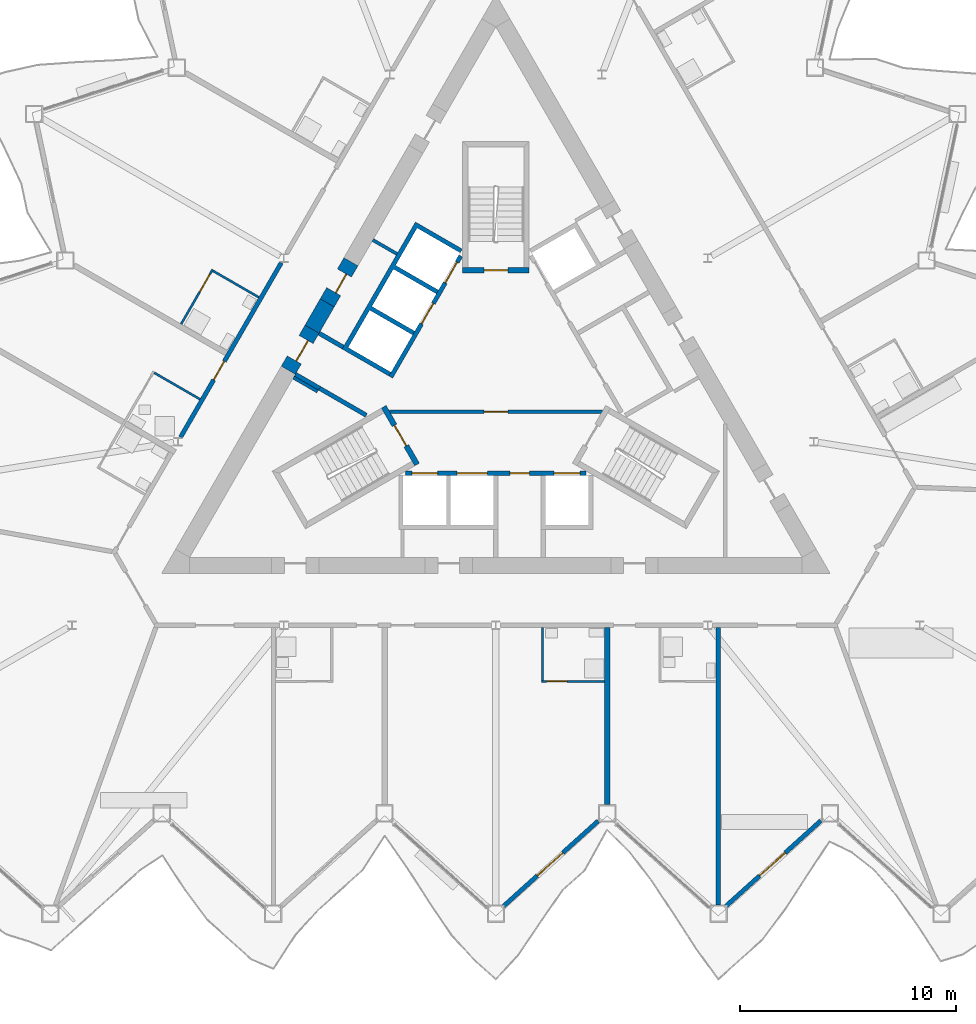
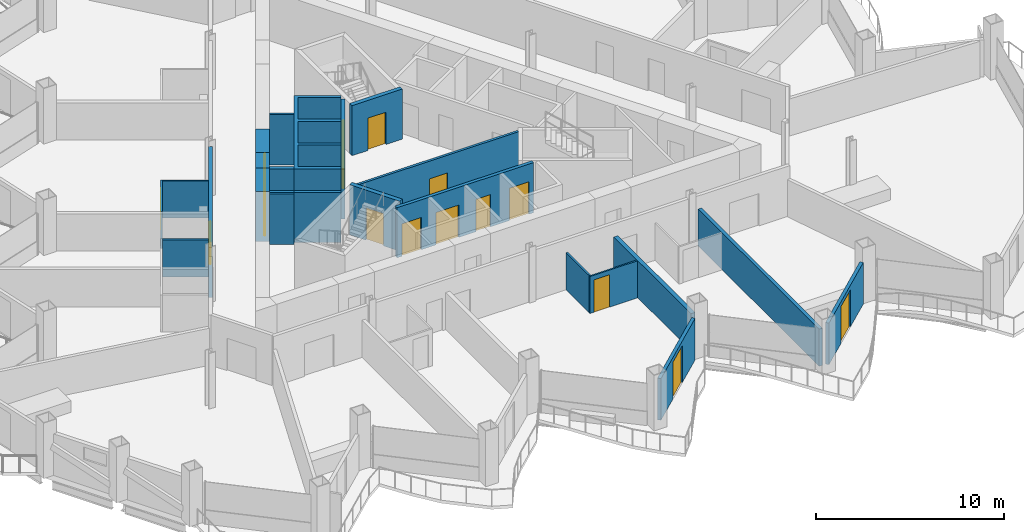
# One storey, part 12 of 23: 24 walls, 16 doors, 16 openings.
"""IFC4 building model written with IfcOpenShell, lengths in metres."""

from ifc_helpers import new_model, si_unit, direction, frame, frame_2d, origin, place, context, subcontext, project, spatial, polyline, rectangle, outline, extrude, material, layer, layer_set, type_object, element, fill, save


model = new_model("IFC4")

# Units and contexts
model_context = context("Model", 3, precision=1e-05, world=origin(), true_north=direction((0.0, 1.0)))
body_context = subcontext(model_context, "Body", "Model", "MODEL_VIEW")
ifc_project = project(units=[si_unit("LENGTHUNIT", "METRE"), si_unit("AREAUNIT", "SQUARE_METRE"), si_unit("VOLUMEUNIT", "CUBIC_METRE"), si_unit("PLANEANGLEUNIT", "RADIAN"), si_unit("MASSUNIT", "GRAM", prefix="KILO")], contexts=[model_context])

# Site, building, storey
site_placement = place(None, origin())
site = spatial("IfcSite", under=ifc_project, at=site_placement, CompositionType="ELEMENT")
building_placement = place(site_placement, origin())
building = spatial("IfcBuilding", under=site, at=building_placement, Name="Cormorant Prow Tower", CompositionType="ELEMENT")
storey_placement = place(building_placement, frame((0.0, 0.0, 212.39990234375)))
storey = spatial("IfcBuildingStorey", under=building, at=storey_placement, Name="L47", CompositionType="ELEMENT", Elevation=212.39990234375)

# Wall, opening, door
ifc_material_1 = material(Name="Gypsum board partition")
ifc_layer_1 = layer(ifc_material_1, 0.14990234375)
ifc_layer_set_1 = layer_set([ifc_layer_1], Name="Gypsum board partition")
wall_type_1 = type_object("IfcWallType", Name="Core partition 150", PredefinedType="PARTITIONING", material=ifc_layer_set_1)
wall_1_placement = place(storey_placement, frame((-4.941162109375, -1.449951171875, 0.0), z_axis=(0.0, 0.0, 1.0), x_axis=(1.0, 0.0, 0.0)))
wall_1 = element("IfcWall", 1, at=wall_1_placement, inside=storey, type_object=wall_type_1, Name="Firefighting lobby partition", PredefinedType="PARTITIONING", context=body_context, shape_type="SweptSolid", body=[
    extrude(rectangle(XDim=9.88232421875, YDim=0.14990234375, at=frame_2d((4.941162109375, 0.0))), origin(), (0.0, 0.0, 1.0), 3.25),
])
opening_1_placement = place(wall_1_placement, frame((4.39111328125, 0.0, 0.0)))
opening_1 = element("IfcOpeningElement", 2, at=opening_1_placement, cuts=wall_1, Name="Opening L47-C10", PredefinedType="OPENING", context=body_context, shape_type="SweptSolid", body=[
    extrude(rectangle(XDim=1.10009765625, YDim=2.10009765625, at=frame_2d((0.550048828125, 1.050048828125))), frame((0.0, 0.0849609375, 0.0), z_axis=(0.0, -1.0, 0.0), x_axis=(1.0, 0.0, 0.0)), (0.0, 0.0, 1.0), 0.169921875),
])
ifc_material_2 = material(Name="Painted steel", Category="steel")
door_type_1 = type_object("IfcDoorType", Name="Firefighting lobby door 1100x2100", OperationType="NOTDEFINED", PredefinedType="DOOR", material=ifc_material_2)
door_1_placement = place(opening_1_placement, origin())
door_1 = element("IfcDoor", 3, at=door_1_placement, inside=storey, type_object=door_type_1, Name="Firefighting lobby door", OperationType="SINGLE_SWING_RIGHT", OverallHeight=2.10009765625, OverallWidth=1.10009765625, PredefinedType="DOOR", context=body_context, shape_type="SweptSolid", body=[
    extrude(rectangle(XDim=1.10009765625, YDim=2.10009765625, at=frame_2d((0.550048828125, 1.050048828125))), frame((0.0, 0.02490234375, 0.0), z_axis=(0.0, -1.0, 0.0), x_axis=(1.0, 0.0, 0.0)), (0.0, 0.0, 1.0), 0.050048828125),
])
fill(opening_1, door_1)

# Walls
for number, where, z_axis, x_axis, name in (
    (4, (-8.268310546875, -0.509033203125, 0.0), (0.0, 0.0, 1.0), (-0.866003189247, 0.500038474733, 0.0), "Service room partition"),
    (5, (-5.705322265625, 6.515869140625, 0.0), (0.0, 0.0, 1.0), (0.866003189247, -0.500038474733, 0.0), "Service room partition"),
):
    element("IfcWall", number, at=place(storey_placement, frame(where, z_axis=z_axis, x_axis=x_axis)), inside=storey, type_object=wall_type_1, Name=name, PredefinedType="PARTITIONING", context=body_context, shape_type="SweptSolid", body=[
        extrude(rectangle(XDim=1.29296875, YDim=0.14990234375, at=frame_2d((0.646484375, 0.0))), origin(), (0.0, 0.0, 1.0), 3.25),
    ])
ifc_material_3 = material(Name="Concrete 8000 psi", Category="concrete")
ifc_layer_2 = layer(ifc_material_3, 0.75)
ifc_layer_set_2 = layer_set([ifc_layer_2], Name="Concrete 8000 psi")
wall_type_2 = type_object("IfcWallType", Name="Core shear wall 750", PredefinedType="SHEAR", material=ifc_layer_set_2)
wall_2_placement = place(storey_placement, frame((-7.8212890625, 3.600830078125, 0.0), z_axis=(0.0, 0.0, 1.0), x_axis=(-0.49996263964, -0.866046972724, 0.0)))
element("IfcWall", 6, at=wall_2_placement, inside=storey, type_object=wall_type_2, Name="Core wall", PredefinedType="SHEAR", context=body_context, shape_type="SweptSolid", body=[
    extrude(rectangle(XDim=1.40771484375, YDim=0.75, at=frame_2d((0.703857421875, 0.0))), origin(), (0.0, 0.0, 1.0), 3.25),
])

# Wall, opening, door
wall_3_placement = place(storey_placement, frame((-6.721435546875, 5.506103515625, 0.0), z_axis=(0.0, 0.0, 1.0), x_axis=(-0.499946605688, -0.86605622881, 0.0)))
wall_3 = element("IfcWall", 7, at=wall_3_placement, inside=storey, type_object=wall_type_2, Name="Core wall door panel", PredefinedType="SHEAR", context=body_context, shape_type="SweptSolid", body=[
    extrude(rectangle(XDim=2.199951171875, YDim=0.75, at=frame_2d((1.10009765625, 0.0))), origin(), (0.0, 0.0, 1.0), 3.25),
])
opening_2_placement = place(wall_3_placement, frame((0.60009765625, 0.0, 0.0)))
opening_2 = element("IfcOpeningElement", 8, at=opening_2_placement, cuts=wall_3, Name="Opening L47-C19", PredefinedType="OPENING", context=body_context, shape_type="SweptSolid", body=[
    extrude(rectangle(XDim=1.0, YDim=2.10009765625, at=frame_2d((0.5, 1.050048828125))), frame((0.0, 0.385009765625, 0.0), z_axis=(0.0, -1.0, 0.0), x_axis=(1.0, 0.0, 0.0)), (0.0, 0.0, 1.0), 0.77001953125),
])
ifc_material_4 = material(Name="Painted steel", Category="steel")
door_type_2 = type_object("IfcDoorType", Name="Service door 1000x2100", OperationType="NOTDEFINED", PredefinedType="DOOR", material=ifc_material_4)
door_2_placement = place(opening_2_placement, origin())
door_2 = element("IfcDoor", 9, at=door_2_placement, inside=storey, type_object=door_type_2, Name="Core door, Electrical room", OperationType="SINGLE_SWING_RIGHT", OverallHeight=2.10009765625, OverallWidth=1.0, PredefinedType="DOOR", context=body_context, shape_type="SweptSolid", body=[
    extrude(rectangle(XDim=1.0, YDim=2.10009765625, at=frame_2d((0.5, 1.050048828125))), frame((0.0, 0.1298828125, 0.0), z_axis=(0.0, -1.0, 0.0), x_axis=(1.0, 0.0, 0.0)), (0.0, 0.0, 1.0), 0.050048828125),
])
fill(opening_2, door_2)

wall_4_placement = place(storey_placement, frame((-8.525146484375, 2.381591796875, 0.0), z_axis=(0.0, 0.0, 1.0), x_axis=(-0.500077893725, -0.86598042715, 0.0)))
wall_4 = element("IfcWall", 10, at=wall_4_placement, inside=storey, type_object=wall_type_2, Name="Core wall door panel", PredefinedType="SHEAR", context=body_context, shape_type="SweptSolid", body=[
    extrude(rectangle(XDim=2.199951171875, YDim=0.75, at=frame_2d((1.10009765625, 0.0))), origin(), (0.0, 0.0, 1.0), 3.25),
])
opening_3_placement = place(wall_4_placement, frame((0.550048828125, 0.0, 0.0)))
opening_3 = element("IfcOpeningElement", 11, at=opening_3_placement, cuts=wall_4, Name="Opening L47-C22", PredefinedType="OPENING", context=body_context, shape_type="SweptSolid", body=[
    extrude(rectangle(XDim=1.10009765625, YDim=2.10009765625, at=frame_2d((0.550048828125, 1.050048828125))), frame((0.0, 0.385009765625, 0.0), z_axis=(0.0, -1.0, 0.0), x_axis=(1.0, 0.0, 0.0)), (0.0, 0.0, 1.0), 0.77001953125),
])
ifc_material_5 = material(Name="Painted steel", Category="steel")
door_type_3 = type_object("IfcDoorType", Name="Core door 1100x2100", OperationType="NOTDEFINED", PredefinedType="DOOR", material=ifc_material_5)
door_3_placement = place(opening_3_placement, origin())
door_3 = element("IfcDoor", 12, at=door_3_placement, inside=storey, type_object=door_type_3, Name="Core door, lift lobby", OperationType="SINGLE_SWING_LEFT", OverallHeight=2.10009765625, OverallWidth=1.10009765625, PredefinedType="DOOR", context=body_context, shape_type="SweptSolid", body=[
    extrude(rectangle(XDim=1.10009765625, YDim=2.10009765625, at=frame_2d((0.550048828125, 1.050048828125))), frame((0.0, 0.1298828125, 0.0), z_axis=(0.0, -1.0, 0.0), x_axis=(1.0, 0.0, 0.0)), (0.0, 0.0, 1.0), 0.050048828125),
])
fill(opening_3, door_3)

ifc_material_6 = material(Name="Gypsum board corridor wall")
ifc_layer_3 = layer(ifc_material_6, 0.199951171875)
ifc_layer_set_3 = layer_set([ifc_layer_3], Name="Gypsum board corridor wall")
wall_type_3 = type_object("IfcWallType", Name="Corridor wall 200", PredefinedType="PARTITIONING", material=ifc_layer_set_3)
wall_5_placement = place(storey_placement, frame((-14.619384765625, -2.62353515625, 0.0), z_axis=(0.0, 0.0, 1.0), x_axis=(0.50000393355, 0.866023132736, 0.0)))
wall_5 = element("IfcWall", 13, at=wall_5_placement, inside=storey, type_object=wall_type_3, Name="Corridor wall", PredefinedType="PARTITIONING", context=body_context, shape_type="SweptSolid", body=[
    extrude(rectangle(XDim=9.3349609375, YDim=0.199951171875, at=frame_2d((4.66748046875, 0.0))), origin(), (0.0, 0.0, 1.0), 3.25),
])
opening_4_placement = place(wall_5_placement, frame((3.0625, 0.0, 0.0)))
opening_4 = element("IfcOpeningElement", 14, at=opening_4_placement, cuts=wall_5, Name="Opening L47-F23", PredefinedType="OPENING", context=body_context, shape_type="SweptSolid", body=[
    extrude(rectangle(XDim=1.0, YDim=2.10009765625, at=frame_2d((0.5, 1.050048828125))), frame((0.0, 0.10986328125, 0.0), z_axis=(0.0, -1.0, 0.0), x_axis=(1.0, 0.0, 0.0)), (0.0, 0.0, 1.0), 0.219970703125),
])
ifc_material_7 = material(Name="Timber door leaf", Category="wood")
door_type_4 = type_object("IfcDoorType", Name="Flat or room entrance door 1000x2100", OperationType="NOTDEFINED", PredefinedType="DOOR", material=ifc_material_7)
door_4_placement = place(opening_4_placement, origin())
door_4 = element("IfcDoor", 15, at=door_4_placement, inside=storey, type_object=door_type_4, Name="Guest room door", OperationType="SINGLE_SWING_RIGHT", OverallHeight=2.10009765625, OverallWidth=1.0, PredefinedType="DOOR", context=body_context, shape_type="SweptSolid", body=[
    extrude(rectangle(XDim=1.0, YDim=2.10009765625, at=frame_2d((0.5, 1.050048828125))), frame((0.0, 0.02490234375, 0.0), z_axis=(0.0, -1.0, 0.0), x_axis=(1.0, 0.0, 0.0)), (0.0, 0.0, 1.0), 0.050048828125),
])
fill(opening_4, door_4)

# Wall
ifc_material_8 = material(Name="Gypsum board demising wall")
ifc_layer_4 = layer(ifc_material_8, 0.199951171875)
ifc_layer_set_4 = layer_set([ifc_layer_4], Name="Gypsum board demising wall")
wall_type_4 = type_object("IfcWallType", Name="Demising wall 200", PredefinedType="PARTITIONING", material=ifc_layer_set_4)
wall_6_placement = place(storey_placement, frame((10.311279296875, -24.3115234375, 0.0), z_axis=(0.0, 0.0, 1.0), x_axis=(0.0, 1.0, 0.0)))
element("IfcWall", 16, at=wall_6_placement, inside=storey, type_object=wall_type_4, Name="Demising wall", PredefinedType="PARTITIONING", context=body_context, shape_type="SweptSolid", body=[
    extrude(rectangle(XDim=12.862548828125, YDim=0.199951171875, at=frame_2d((6.43115234375, 0.0))), origin(), (0.0, 0.0, 1.0), 2.404296875),
])

# Wall, opening, door
ifc_material_9 = material(Name="Gypsum board partition")
ifc_layer_5 = layer(ifc_material_9, 0.10009765625)
ifc_layer_set_5 = layer_set([ifc_layer_5], Name="Gypsum board partition")
wall_type_5 = type_object("IfcWallType", Name="Internal partition 100", PredefinedType="PARTITIONING", material=ifc_layer_set_5)
wall_7_placement = place(storey_placement, frame((2.105712890625, -13.948974609375, 0.0), z_axis=(0.0, 0.0, 1.0), x_axis=(1.0, 0.0, 0.0)))
wall_7 = element("IfcWall", 17, at=wall_7_placement, inside=storey, type_object=wall_type_5, Name="Internal partition", PredefinedType="PARTITIONING", context=body_context, shape_type="SweptSolid", body=[
    extrude(rectangle(XDim=2.9248046875, YDim=0.10009765625, at=frame_2d((1.46240234375, 0.0))), origin(), (0.0, 0.0, 1.0), 2.404296875),
])
opening_5_placement = place(wall_7_placement, frame((0.25, 0.0, 0.0)))
opening_5 = element("IfcOpeningElement", 18, at=opening_5_placement, cuts=wall_7, Name="Opening L47-F05", PredefinedType="OPENING", context=body_context, shape_type="SweptSolid", body=[
    extrude(rectangle(XDim=0.949951171875, YDim=2.10009765625, at=frame_2d((0.47509765625, 1.050048828125))), frame((0.0, 0.06005859375, 0.0), z_axis=(0.0, -1.0, 0.0), x_axis=(1.0, 0.0, 0.0)), (0.0, 0.0, 1.0), 0.1201171875),
])
ifc_material_10 = material(Name="Timber door leaf", Category="wood")
door_type_5 = type_object("IfcDoorType", Name="Bathroom door 950x2100", OperationType="NOTDEFINED", PredefinedType="DOOR", material=ifc_material_10)
door_5_placement = place(opening_5_placement, origin())
door_5 = element("IfcDoor", 19, at=door_5_placement, inside=storey, type_object=door_type_5, Name="Junior suite door", OperationType="SINGLE_SWING_LEFT", OverallHeight=2.10009765625, OverallWidth=0.949951171875, PredefinedType="DOOR", context=body_context, shape_type="SweptSolid", body=[
    extrude(rectangle(XDim=0.949951171875, YDim=2.10009765625, at=frame_2d((0.47509765625, 1.050048828125))), frame((0.0, 0.02490234375, 0.0), z_axis=(0.0, -1.0, 0.0), x_axis=(1.0, 0.0, 0.0)), (0.0, 0.0, 1.0), 0.050048828125),
])
fill(opening_5, door_5)

wall_8_placement = place(storey_placement, frame((-14.595458984375, 2.617919921875, 0.0), z_axis=(0.0, 0.0, 1.0), x_axis=(0.500062034277, 0.865989585315, 0.0)))
wall_8 = element("IfcWall", 20, at=wall_8_placement, inside=storey, type_object=wall_type_5, Name="Internal partition", PredefinedType="PARTITIONING", context=body_context, shape_type="SweptSolid", body=[
    extrude(rectangle(XDim=2.925048828125, YDim=0.10009765625, at=frame_2d((1.46240234375, 0.0))), origin(), (0.0, 0.0, 1.0), 2.404296875),
])
opening_6_placement = place(wall_8_placement, frame((1.72509765625, 0.0, 0.0)))
opening_6 = element("IfcOpeningElement", 21, at=opening_6_placement, cuts=wall_8, Name="Opening L47-F22", PredefinedType="OPENING", context=body_context, shape_type="SweptSolid", body=[
    extrude(rectangle(XDim=0.949951171875, YDim=2.10009765625, at=frame_2d((0.47509765625, 1.050048828125))), frame((0.0, 0.06005859375, 0.0), z_axis=(0.0, -1.0, 0.0), x_axis=(1.0, 0.0, 0.0)), (0.0, 0.0, 1.0), 0.1201171875),
])
door_6_placement = place(opening_6_placement, origin())
door_6 = element("IfcDoor", 22, at=door_6_placement, inside=storey, type_object=door_type_5, Name="Junior suite door", OperationType="SINGLE_SWING_RIGHT", OverallHeight=2.10009765625, OverallWidth=0.949951171875, PredefinedType="DOOR", context=body_context, shape_type="SweptSolid", body=[
    extrude(rectangle(XDim=0.949951171875, YDim=2.10009765625, at=frame_2d((0.47509765625, 1.050048828125))), frame((0.0, 0.02490234375, 0.0), z_axis=(0.0, -1.0, 0.0), x_axis=(1.0, 0.0, 0.0)), (0.0, 0.0, 1.0), 0.050048828125),
])
fill(opening_6, door_6)

# Walls
wall_9_placement = place(storey_placement, frame((-15.842529296875, 0.35791015625, 0.0), z_axis=(0.0, 0.0, 1.0), x_axis=(0.866014668023, -0.500018594424, 0.0)))
element("IfcWall", 23, at=wall_9_placement, inside=storey, type_object=wall_type_5, Name="Internal partition", PredefinedType="PARTITIONING", context=body_context, shape_type="SweptSolid", body=[
    extrude(rectangle(XDim=2.4501953125, YDim=0.10009765625, at=frame_2d((1.22509765625, 0.0))), origin(), (0.0, 0.0, 1.0), 2.404296875),
])
wall_10_placement = place(storey_placement, frame((-13.114501953125, 5.08251953125, 0.0), z_axis=(0.0, 0.0, 1.0), x_axis=(0.866032905446, -0.499987006516, 0.0)))
element("IfcWall", 24, at=wall_10_placement, inside=storey, type_object=wall_type_5, Name="Internal partition", PredefinedType="PARTITIONING", context=body_context, shape_type="SweptSolid", body=[
    extrude(rectangle(XDim=2.44970703125, YDim=0.10009765625, at=frame_2d((1.224853515625, 0.0))), origin(), (0.0, 0.0, 1.0), 2.404296875),
])
wall_11_placement = place(storey_placement, frame((2.155517578125, -13.89892578125, 0.0), z_axis=(0.0, 0.0, 1.0), x_axis=(0.0, 1.0, 0.0)))
element("IfcWall", 25, at=wall_11_placement, inside=storey, type_object=wall_type_5, Name="Internal partition", PredefinedType="PARTITIONING", context=body_context, shape_type="SweptSolid", body=[
    extrude(rectangle(XDim=2.449951171875, YDim=0.10009765625, at=frame_2d((1.22509765625, 0.0))), origin(), (0.0, 0.0, 1.0), 2.404296875),
])

# Wall, openings, doors
ifc_material_11 = material(Name="Concrete 5000 psi", Category="concrete")
ifc_layer_6 = layer(ifc_material_11, 0.199951171875)
ifc_layer_set_6 = layer_set([ifc_layer_6], Name="Concrete 5000 psi")
wall_type_6 = type_object("IfcWallType", Name="Lift lobby wall 200", PredefinedType="SOLIDWALL", material=ifc_layer_set_6)
wall_12_placement = place(storey_placement, frame((-4.1865234375, -4.300048828125, 0.0), z_axis=(0.0, 0.0, 1.0), x_axis=(1.0, 0.0, 0.0)))
wall_12 = element("IfcWall", 26, at=wall_12_placement, inside=storey, type_object=wall_type_6, Name="Lift lobby wall, S block", PredefinedType="SOLIDWALL", context=body_context, shape_type="SweptSolid", body=[
    extrude(rectangle(XDim=8.373046875, YDim=0.199951171875, at=frame_2d((4.1865234375, 0.0))), origin(), (0.0, 0.0, 1.0), 3.25),
])
opening_7_placement = place(wall_12_placement, frame((0.28662109375, 0.0, 0.0)))
opening_7 = element("IfcOpeningElement", 27, at=opening_7_placement, cuts=wall_12, Name="Opening L47-C01", PredefinedType="OPENING", context=body_context, shape_type="SweptSolid", body=[
    extrude(rectangle(XDim=1.199951171875, YDim=2.10009765625, at=frame_2d((0.60009765625, 1.050048828125))), frame((0.0, 0.10986328125, 0.0), z_axis=(0.0, -1.0, 0.0), x_axis=(1.0, 0.0, 0.0)), (0.0, 0.0, 1.0), 0.219970703125),
])
opening_8_placement = place(wall_12_placement, frame((2.38671875, 0.0, 0.0)))
opening_8 = element("IfcOpeningElement", 28, at=opening_8_placement, cuts=wall_12, Name="Opening L47-C02", PredefinedType="OPENING", context=body_context, shape_type="SweptSolid", body=[
    extrude(rectangle(XDim=1.39990234375, YDim=2.10009765625, at=frame_2d((0.699951171875, 1.050048828125))), frame((0.0, 0.10986328125, 0.0), z_axis=(0.0, -1.0, 0.0), x_axis=(1.0, 0.0, 0.0)), (0.0, 0.0, 1.0), 0.219970703125),
])
opening_9_placement = place(wall_12_placement, frame((4.836669921875, 0.0, 0.0)))
opening_9 = element("IfcOpeningElement", 29, at=opening_9_placement, cuts=wall_12, Name="Opening L47-C03", PredefinedType="OPENING", context=body_context, shape_type="SweptSolid", body=[
    extrude(rectangle(XDim=0.89990234375, YDim=2.10009765625, at=frame_2d((0.449951171875, 1.050048828125))), frame((0.0, 0.10986328125, 0.0), z_axis=(0.0, -1.0, 0.0), x_axis=(1.0, 0.0, 0.0)), (0.0, 0.0, 1.0), 0.219970703125),
])
opening_10_placement = place(wall_12_placement, frame((6.88671875, 0.0, 0.0)))
opening_10 = element("IfcOpeningElement", 30, at=opening_10_placement, cuts=wall_12, Name="Opening L47-C04", PredefinedType="OPENING", context=body_context, shape_type="SweptSolid", body=[
    extrude(rectangle(XDim=1.199951171875, YDim=2.10009765625, at=frame_2d((0.60009765625, 1.050048828125))), frame((0.0, 0.10986328125, 0.0), z_axis=(0.0, -1.0, 0.0), x_axis=(1.0, 0.0, 0.0)), (0.0, 0.0, 1.0), 0.219970703125),
])
ifc_material_12 = material(Name="Painted steel", Category="steel")
door_type_6 = type_object("IfcDoorType", Name="Firefighting lift landing door 1200x2100", OperationType="SLIDING_TO_LEFT", PredefinedType="DOOR", material=ifc_material_12)
door_7_placement = place(opening_7_placement, origin())
door_7 = element("IfcDoor", 31, at=door_7_placement, inside=storey, type_object=door_type_6, Name="Landing door FL1", OperationType="SLIDING_TO_LEFT", OverallHeight=2.10009765625, OverallWidth=1.199951171875, PredefinedType="DOOR", context=body_context, shape_type="SweptSolid", body=[
    extrude(rectangle(XDim=1.199951171875, YDim=2.10009765625, at=frame_2d((0.60009765625, 1.050048828125))), frame((0.0, 0.02490234375, 0.0), z_axis=(0.0, -1.0, 0.0), x_axis=(1.0, 0.0, 0.0)), (0.0, 0.0, 1.0), 0.050048828125),
])
fill(opening_7, door_7)
door_8_placement = place(opening_10_placement, origin())
door_8 = element("IfcDoor", 32, at=door_8_placement, inside=storey, type_object=door_type_6, Name="Landing door FL2", OperationType="SLIDING_TO_LEFT", OverallHeight=2.10009765625, OverallWidth=1.199951171875, PredefinedType="DOOR", context=body_context, shape_type="SweptSolid", body=[
    extrude(rectangle(XDim=1.199951171875, YDim=2.10009765625, at=frame_2d((0.60009765625, 1.050048828125))), frame((0.0, 0.02490234375, 0.0), z_axis=(0.0, -1.0, 0.0), x_axis=(1.0, 0.0, 0.0)), (0.0, 0.0, 1.0), 0.050048828125),
])
fill(opening_10, door_8)
ifc_material_13 = material(Name="Painted steel", Category="steel")
door_type_7 = type_object("IfcDoorType", Name="Service door 900x2100", OperationType="NOTDEFINED", PredefinedType="DOOR", material=ifc_material_13)
door_9_placement = place(opening_9_placement, origin())
door_9 = element("IfcDoor", 33, at=door_9_placement, inside=storey, type_object=door_type_7, Name="Service door, Linen store", OperationType="SINGLE_SWING_RIGHT", OverallHeight=2.10009765625, OverallWidth=0.89990234375, PredefinedType="DOOR", context=body_context, shape_type="SweptSolid", body=[
    extrude(rectangle(XDim=0.89990234375, YDim=2.10009765625, at=frame_2d((0.449951171875, 1.050048828125))), frame((0.0, 0.02490234375, 0.0), z_axis=(0.0, -1.0, 0.0), x_axis=(1.0, 0.0, 0.0)), (0.0, 0.0, 1.0), 0.050048828125),
])
fill(opening_9, door_9)
ifc_material_14 = material(Name="Painted steel", Category="steel")
door_type_8 = type_object("IfcDoorType", Name="Service lift landing door 1400x2100", OperationType="SLIDING_TO_LEFT", PredefinedType="DOOR", material=ifc_material_14)
door_10_placement = place(opening_8_placement, origin())
door_10 = element("IfcDoor", 34, at=door_10_placement, inside=storey, type_object=door_type_8, Name="Landing door SL1", OperationType="SLIDING_TO_LEFT", OverallHeight=2.10009765625, OverallWidth=1.39990234375, PredefinedType="DOOR", context=body_context, shape_type="SweptSolid", body=[
    extrude(rectangle(XDim=1.39990234375, YDim=2.10009765625, at=frame_2d((0.699951171875, 1.050048828125))), frame((0.0, 0.02490234375, 0.0), z_axis=(0.0, -1.0, 0.0), x_axis=(1.0, 0.0, 0.0)), (0.0, 0.0, 1.0), 0.050048828125),
])
fill(opening_8, door_10)

wall_13_placement = place(storey_placement, frame((-1.630615234375, 5.775634765625, 0.0), z_axis=(0.0, 0.0, 1.0), x_axis=(-0.499992876559, -0.866029516466, 0.0)))
wall_13 = element("IfcWall", 35, at=wall_13_placement, inside=storey, type_object=wall_type_6, Name="Lift lobby wall, WNW block", PredefinedType="SOLIDWALL", context=body_context, shape_type="SweptSolid", body=[
    extrude(rectangle(XDim=6.486328125, YDim=0.199951171875, at=frame_2d((3.2431640625, 0.0))), origin(), (0.0, 0.0, 1.0), 3.25),
])
opening_11_placement = place(wall_13_placement, frame((0.336669921875, 0.0, 0.0)))
opening_11 = element("IfcOpeningElement", 36, at=opening_11_placement, cuts=wall_13, Name="Opening L47-C08", PredefinedType="OPENING", context=body_context, shape_type="SweptSolid", body=[
    extrude(rectangle(XDim=1.10009765625, YDim=2.10009765625, at=frame_2d((0.550048828125, 1.050048828125))), frame((0.0, 0.10986328125, 0.0), z_axis=(0.0, -1.0, 0.0), x_axis=(1.0, 0.0, 0.0)), (0.0, 0.0, 1.0), 0.219970703125),
])
opening_12_placement = place(wall_13_placement, frame((2.53662109375, 0.0, 0.0)))
opening_12 = element("IfcOpeningElement", 37, at=opening_12_placement, cuts=wall_13, Name="Opening L47-C09", PredefinedType="OPENING", context=body_context, shape_type="SweptSolid", body=[
    extrude(rectangle(XDim=1.10009765625, YDim=2.10009765625, at=frame_2d((0.550048828125, 1.050048828125))), frame((0.0, 0.10986328125, 0.0), z_axis=(0.0, -1.0, 0.0), x_axis=(1.0, 0.0, 0.0)), (0.0, 0.0, 1.0), 0.219970703125),
])
ifc_material_15 = material(Name="Painted steel", Category="steel")
door_type_9 = type_object("IfcDoorType", Name="Lift landing door 1100x2100", OperationType="SLIDING_TO_LEFT", PredefinedType="DOOR", material=ifc_material_15)
door_11_placement = place(opening_11_placement, origin())
door_11 = element("IfcDoor", 38, at=door_11_placement, inside=storey, type_object=door_type_9, Name="Landing door MR2", OperationType="SLIDING_TO_LEFT", OverallHeight=2.10009765625, OverallWidth=1.10009765625, PredefinedType="DOOR", context=body_context, shape_type="SweptSolid", body=[
    extrude(rectangle(XDim=1.10009765625, YDim=2.10009765625, at=frame_2d((0.550048828125, 1.050048828125))), frame((0.0, 0.02490234375, 0.0), z_axis=(0.0, -1.0, 0.0), x_axis=(1.0, 0.0, 0.0)), (0.0, 0.0, 1.0), 0.050048828125),
])
fill(opening_11, door_11)
door_12_placement = place(opening_12_placement, origin())
door_12 = element("IfcDoor", 39, at=door_12_placement, inside=storey, type_object=door_type_9, Name="Landing door MR3", OperationType="SLIDING_TO_LEFT", OverallHeight=2.10009765625, OverallWidth=1.10009765625, PredefinedType="DOOR", context=body_context, shape_type="SweptSolid", body=[
    extrude(rectangle(XDim=1.10009765625, YDim=2.10009765625, at=frame_2d((0.550048828125, 1.050048828125))), frame((0.0, 0.02490234375, 0.0), z_axis=(0.0, -1.0, 0.0), x_axis=(1.0, 0.0, 0.0)), (0.0, 0.0, 1.0), 0.050048828125),
])
fill(opening_12, door_12)

# Walls
ifc_material_16 = material(Name="Concrete 8000 psi", Category="concrete")
ifc_layer_7 = layer(ifc_material_16, 0.199951171875)
ifc_layer_set_7 = layer_set([ifc_layer_7], Name="Concrete 8000 psi")
wall_type_7 = type_object("IfcWallType", Name="Lift shaft wall 200", PredefinedType="SHEAR", material=ifc_layer_set_7)
wall_14_placement = place(storey_placement, origin())
element("IfcWall", 40, at=wall_14_placement, inside=storey, type_object=wall_type_7, Name="Lift shaft walls, WNW block", PredefinedType="SHEAR", context=body_context, shape_type="SweptSolid", body=[
    extrude(outline(polyline([(-6.060546875, -1.697021484375), (-8.230712890625, -0.444091796875), (-8.130859375, -0.27099609375), (-5.96044921875, -1.52392578125), (-6.060546875, -1.697021484375)])), origin(), (0.0, 0.0, 1.0), 3.25),
])
wall_15_placement = place(storey_placement, origin())
element("IfcWall", 41, at=wall_15_placement, inside=storey, type_object=wall_type_7, Name="Lift shaft walls, WNW block", PredefinedType="SHEAR", context=body_context, shape_type="SweptSolid", body=[
    extrude(outline(polyline([(-4.96044921875, 0.2080078125), (-7.130859375, 1.461181640625), (-3.730712890625, 7.35009765625), (-1.560546875, 6.09716796875), (-1.660400390625, 5.923828125), (-3.65234375, 7.073974609375), (-4.65234375, 5.341796875), (-2.660400390625, 4.19189453125), (-2.760498046875, 4.018798828125), (-4.75244140625, 5.168701171875), (-5.75244140625, 3.4365234375), (-3.760498046875, 2.28662109375), (-3.860595703125, 2.11328125), (-5.852294921875, 3.263427734375), (-6.852294921875, 1.53125), (-4.860595703125, 0.38134765625), (-4.96044921875, 0.2080078125)])), origin(), (0.0, 0.0, 1.0), 3.25),
])
for number, where, z_axis, x_axis, name in (
    (42, (-7.080810546875, 1.547607421875, 0.0), (0.0, 0.0, 1.0), (-0.866003189247, 0.500038474733, 0.0), "Lobby passage wall"),
    (43, (-8.180908203125, -0.357421875, 0.0), (0.0, 0.0, 1.0), (-0.866003189247, 0.500038474733, 0.0), "Lobby passage wall"),
):
    element("IfcWall", number, at=place(storey_placement, frame(where, z_axis=z_axis, x_axis=x_axis)), inside=storey, type_object=wall_type_7, Name=name, PredefinedType="SHEAR", context=body_context, shape_type="SweptSolid", body=[
        extrude(rectangle(XDim=1.29296875, YDim=0.199951171875, at=frame_2d((0.646484375, 0.0))), origin(), (0.0, 0.0, 1.0), 3.25),
    ])

# Wall, opening, door
ifc_material_17 = material(Name="Concrete 8000 psi", Category="concrete")
ifc_layer_8 = layer(ifc_material_17, 0.25)
ifc_layer_set_8 = layer_set([ifc_layer_8], Name="Concrete 8000 psi")
wall_type_8 = type_object("IfcWallType", Name="Stair wall 250", PredefinedType="SHEAR", material=ifc_layer_set_8)
wall_16_placement = place(storey_placement, frame((-5.198974609375, -1.21875, 0.0), z_axis=(0.0, 0.0, 1.0), x_axis=(0.499982516597, -0.866035497597, 0.0)))
wall_16 = element("IfcWall", 44, at=wall_16_placement, inside=storey, type_object=wall_type_8, Name="Stair ST1 door wall", PredefinedType="SHEAR", context=body_context, shape_type="SweptSolid", body=[
    extrude(rectangle(XDim=3.087890625, YDim=0.25, at=frame_2d((1.5439453125, 0.0))), origin(), (0.0, 0.0, 1.0), 3.25),
])
opening_13_placement = place(wall_16_placement, frame((0.993896484375, 0.0, 0.0)))
opening_13 = element("IfcOpeningElement", 45, at=opening_13_placement, cuts=wall_16, Name="Opening L47-C11", PredefinedType="OPENING", context=body_context, shape_type="SweptSolid", body=[
    extrude(rectangle(XDim=1.10009765625, YDim=2.10009765625, at=frame_2d((0.550048828125, 1.050048828125))), frame((0.0, 0.135009765625, 0.0), z_axis=(0.0, -1.0, 0.0), x_axis=(1.0, 0.0, 0.0)), (0.0, 0.0, 1.0), 0.27001953125),
])
ifc_material_18 = material(Name="Painted steel", Category="steel")
door_type_10 = type_object("IfcDoorType", Name="Stair door 1100x2100", OperationType="NOTDEFINED", PredefinedType="DOOR", material=ifc_material_18)
door_13_placement = place(opening_13_placement, origin())
door_13 = element("IfcDoor", 46, at=door_13_placement, inside=storey, type_object=door_type_10, Name="Stair ST1 door", OperationType="SINGLE_SWING_LEFT", OverallHeight=2.10009765625, OverallWidth=1.10009765625, PredefinedType="DOOR", context=body_context, shape_type="SweptSolid", body=[
    extrude(rectangle(XDim=1.10009765625, YDim=2.10009765625, at=frame_2d((0.550048828125, 1.050048828125))), frame((0.0, 0.02490234375, 0.0), z_axis=(0.0, -1.0, 0.0), x_axis=(1.0, 0.0, 0.0)), (0.0, 0.0, 1.0), 0.050048828125),
])
fill(opening_13, door_13)

wall_17_placement = place(storey_placement, frame((1.5439453125, 5.11181640625, 0.0), z_axis=(0.0, 0.0, 1.0), x_axis=(-1.0, 0.0, 0.0)))
wall_17 = element("IfcWall", 47, at=wall_17_placement, inside=storey, type_object=wall_type_8, Name="Stair ST3 door wall", PredefinedType="SHEAR", context=body_context, shape_type="SweptSolid", body=[
    extrude(rectangle(XDim=3.087890625, YDim=0.25, at=frame_2d((1.5439453125, 0.0))), origin(), (0.0, 0.0, 1.0), 3.25),
])
opening_14_placement = place(wall_17_placement, frame((0.993896484375, 0.0, 0.0)))
opening_14 = element("IfcOpeningElement", 48, at=opening_14_placement, cuts=wall_17, Name="Opening L47-C13", PredefinedType="OPENING", context=body_context, shape_type="SweptSolid", body=[
    extrude(rectangle(XDim=1.10009765625, YDim=2.10009765625, at=frame_2d((0.550048828125, 1.050048828125))), frame((0.0, 0.135009765625, 0.0), z_axis=(0.0, -1.0, 0.0), x_axis=(1.0, 0.0, 0.0)), (0.0, 0.0, 1.0), 0.27001953125),
])
door_14_placement = place(opening_14_placement, origin())
door_14 = element("IfcDoor", 49, at=door_14_placement, inside=storey, type_object=door_type_10, Name="Stair ST3 door", OperationType="SINGLE_SWING_RIGHT", OverallHeight=2.10009765625, OverallWidth=1.10009765625, PredefinedType="DOOR", context=body_context, shape_type="SweptSolid", body=[
    extrude(rectangle(XDim=1.10009765625, YDim=2.10009765625, at=frame_2d((0.550048828125, 1.050048828125))), frame((0.0, 0.02490234375, 0.0), z_axis=(0.0, -1.0, 0.0), x_axis=(1.0, 0.0, 0.0)), (0.0, 0.0, 1.0), 0.050048828125),
])
fill(opening_14, door_14)

# Wall
ifc_material_19 = material(Name="Acoustic gypsum party wall")
ifc_layer_9 = layer(ifc_material_19, 0.25)
ifc_layer_set_9 = layer_set([ifc_layer_9], Name="Acoustic gypsum party wall")
wall_type_9 = type_object("IfcWallType", Name="Suite party wall 250", PredefinedType="PARTITIONING", material=ifc_layer_set_9)
wall_18_placement = place(storey_placement, frame((5.155517578125, -19.661376953125, 0.0), z_axis=(0.0, 0.0, 1.0), x_axis=(0.0, 1.0, 0.0)))
element("IfcWall", 50, at=wall_18_placement, inside=storey, type_object=wall_type_9, Name="Suite party wall", PredefinedType="PARTITIONING", context=body_context, shape_type="SweptSolid", body=[
    extrude(rectangle(XDim=8.21240234375, YDim=0.25, at=frame_2d((4.106201171875, 0.0))), origin(), (0.0, 0.0, 1.0), 2.404296875),
])

# Wall, opening, door
ifc_material_20 = material(Name="Terracotta", Category="masonry")
ifc_layer_10 = layer(ifc_material_20, 0.199951171875)
ifc_layer_set_10 = layer_set([ifc_layer_10], Name="Terracotta")
wall_type_10 = type_object("IfcWallType", Name="Terracotta jamb wall 200", PredefinedType="SOLIDWALL", material=ifc_layer_set_10)
wall_19_placement = place(storey_placement, frame((0.355224609375, -24.37255859375, 0.0), z_axis=(0.0, 0.0, 1.0), x_axis=(0.743166509731, 0.669106522771, 0.0)))
wall_19 = element("IfcWall", 51, at=wall_19_placement, inside=storey, type_object=wall_type_10, Name="Terracotta jamb wall S05", PredefinedType="SOLIDWALL", context=body_context, shape_type="SweptSolid", body=[
    extrude(rectangle(XDim=5.8974609375, YDim=0.199951171875, at=frame_2d((2.94873046875, 0.0))), origin(), (0.0, 0.0, 1.0), 2.700927734375),
])
opening_15_placement = place(wall_19_placement, frame((2.100830078125, 0.0, 0.0)))
opening_15 = element("IfcOpeningElement", 52, at=opening_15_placement, cuts=wall_19, Name="Opening ED47.03", PredefinedType="OPENING", context=body_context, shape_type="SweptSolid", body=[
    extrude(rectangle(XDim=1.60009765625, YDim=2.39990234375, at=frame_2d((0.800048828125, 1.199951171875))), frame((0.0, 0.10986328125, 0.0), z_axis=(0.0, -1.0, 0.0), x_axis=(1.0, 0.0, 0.0)), (0.0, 0.0, 1.0), 0.219970703125),
])
ifc_material_21 = material(Name="Aluminium 6063-T6", Category="aluminium")
door_type_11 = type_object("IfcDoorType", Name="Balcony door 1600x2400", OperationType="DOUBLE_DOOR_SINGLE_SWING", PredefinedType="DOOR", material=ifc_material_21)
door_15_placement = place(opening_15_placement, origin())
door_15 = element("IfcDoor", 53, at=door_15_placement, inside=storey, type_object=door_type_11, Name="Balcony door S05 ED47.03", OperationType="DOUBLE_DOOR_SINGLE_SWING", OverallHeight=2.39990234375, OverallWidth=1.60009765625, PredefinedType="DOOR", context=body_context, shape_type="SweptSolid", body=[
    extrude(rectangle(XDim=1.60009765625, YDim=2.39990234375, at=frame_2d((0.800048828125, 1.199951171875))), frame((0.0, 0.02490234375, 0.0), z_axis=(0.0, -1.0, 0.0), x_axis=(1.0, 0.0, 0.0)), (0.0, 0.0, 1.0), 0.050048828125),
])
fill(opening_15, door_15)

wall_20_placement = place(storey_placement, frame((10.66650390625, -24.37255859375, 0.0), z_axis=(0.0, 0.0, 1.0), x_axis=(0.743154671439, 0.669119671149, 0.0)))
wall_20 = element("IfcWall", 54, at=wall_20_placement, inside=storey, type_object=wall_type_10, Name="Terracotta jamb wall S07", PredefinedType="SOLIDWALL", context=body_context, shape_type="SweptSolid", body=[
    extrude(rectangle(XDim=5.919189453125, YDim=0.199951171875, at=frame_2d((2.95947265625, 0.0))), origin(), (0.0, 0.0, 1.0), 2.700927734375),
])
opening_16_placement = place(wall_20_placement, frame((2.100830078125, 0.0, 0.0)))
opening_16 = element("IfcOpeningElement", 55, at=opening_16_placement, cuts=wall_20, Name="Opening ED47.04", PredefinedType="OPENING", context=body_context, shape_type="SweptSolid", body=[
    extrude(rectangle(XDim=1.60009765625, YDim=2.39990234375, at=frame_2d((0.800048828125, 1.199951171875))), frame((0.0, 0.10986328125, 0.0), z_axis=(0.0, -1.0, 0.0), x_axis=(1.0, 0.0, 0.0)), (0.0, 0.0, 1.0), 0.219970703125),
])
door_16_placement = place(opening_16_placement, origin())
door_16 = element("IfcDoor", 56, at=door_16_placement, inside=storey, type_object=door_type_11, Name="Balcony door S07 ED47.04", OperationType="DOUBLE_DOOR_SINGLE_SWING", OverallHeight=2.39990234375, OverallWidth=1.60009765625, PredefinedType="DOOR", context=body_context, shape_type="SweptSolid", body=[
    extrude(rectangle(XDim=1.60009765625, YDim=2.39990234375, at=frame_2d((0.800048828125, 1.199951171875))), frame((0.0, 0.02490234375, 0.0), z_axis=(0.0, -1.0, 0.0), x_axis=(1.0, 0.0, 0.0)), (0.0, 0.0, 1.0), 0.050048828125),
])
fill(opening_16, door_16)

save(model, "model.ifc")
